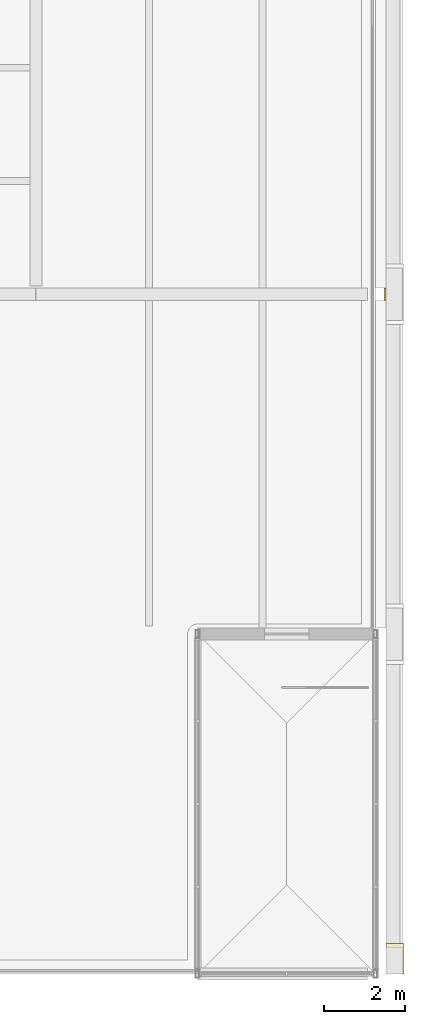
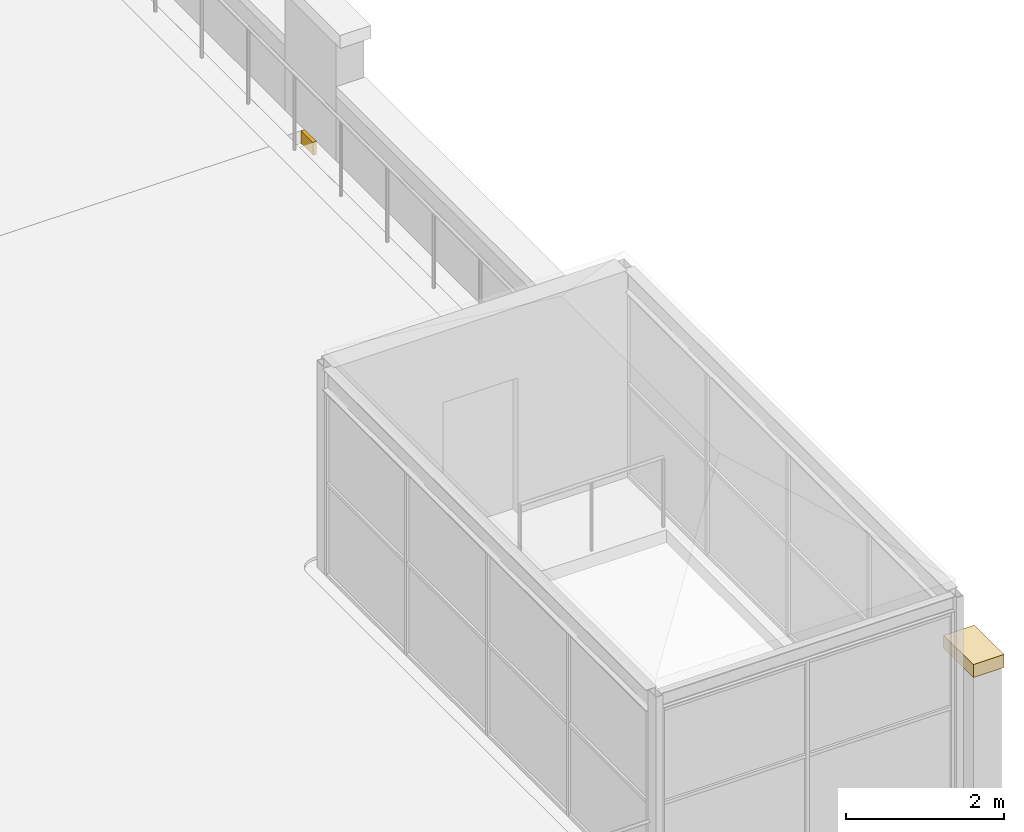
# One storey, part 58 of 58: 2 coverings.
"""IFC4 building model written with IfcOpenShell, lengths in metres."""

from ifc_helpers import new_model, si_unit, direction, frame, origin, origin_2d, place, context, subcontext, project, spatial, rectangle, extrude, material, layer, layer_set, type_object, element, save


model = new_model("IFC4")

# Units and contexts
model_context = context("Model", 3, precision=1e-05, world=origin(), true_north=direction((0.0, 1.0)))
body_context = subcontext(model_context, "Body", "Model", "MODEL_VIEW")
ifc_project = project(units=[si_unit("LENGTHUNIT", "METRE"), si_unit("AREAUNIT", "SQUARE_METRE"), si_unit("VOLUMEUNIT", "CUBIC_METRE"), si_unit("PLANEANGLEUNIT", "RADIAN"), si_unit("MASSUNIT", "GRAM", prefix="KILO")], contexts=[model_context])

# Site, building, storey
site_placement = place(None, origin())
site = spatial("IfcSite", under=ifc_project, at=site_placement, CompositionType="ELEMENT")
building_placement = place(site_placement, origin())
building = spatial("IfcBuilding", under=site, at=building_placement, Name="Galleria Vessillo Department Store", CompositionType="ELEMENT")
storey_placement = place(building_placement, frame((0.0, 0.0, 31.199951171875)))
storey = spatial("IfcBuildingStorey", under=building, at=storey_placement, Name="L06", CompositionType="ELEMENT", Elevation=31.199951171875)

# Coverings
ifc_material_1 = material(Name="Botticino limestone ashlar", Category="masonry")
ifc_layer_1 = layer(ifc_material_1, 0.449951171875)
ifc_layer_set_1 = layer_set([ifc_layer_1], Name="Botticino limestone ashlar")
covering_type_1 = type_object("IfcCoveringType", Name="Limestone pier cap 1500 x 450 x 200", PredefinedType="MOLDING", material=ifc_layer_set_1)
covering_1_placement = place(storey_placement, frame((118.074951171875, 0.375, 1.80029296875), z_axis=(0.0, 0.0, 1.0), x_axis=(1.0, 0.0, 0.0)))
element("IfcCovering", 1, at=covering_1_placement, inside=storey, type_object=covering_type_1, Name="Attic pier cap E y=0.0", PredefinedType="MOLDING", context=body_context, shape_type="SweptSolid", body=[
    extrude(rectangle(XDim=0.449951171875, YDim=0.75, at=origin_2d()), origin(), (0.0, 0.0, 1.0), 0.199951171875),
])
ifc_material_2 = material(Name="Botticino limestone ashlar", Category="masonry")
ifc_layer_2 = layer(ifc_material_2, 0.14990234375)
ifc_layer_set_2 = layer_set([ifc_layer_2], Name="Botticino limestone ashlar")
covering_type_2 = type_object("IfcCoveringType", Name="Limestone slab-edge fascia 150 mm", PredefinedType="CLADDING", material=ifc_layer_set_2)
covering_2_placement = place(storey_placement, frame((117.824951171875, 16.800048828125, -0.19970703125), z_axis=(0.0, 0.0, 1.0), x_axis=(1.0, 0.0, 0.0)))
element("IfcCovering", 2, at=covering_2_placement, inside=storey, type_object=covering_type_2, Name="Joint block Slab-edge fascia SE-L05-01", PredefinedType="CLADDING", context=body_context, shape_type="SweptSolid", body=[
    extrude(rectangle(XDim=0.0498046875, YDim=0.300048828125, at=origin_2d()), origin(), (0.0, 0.0, 1.0), 0.199951171875),
])

save(model, "model.ifc")
